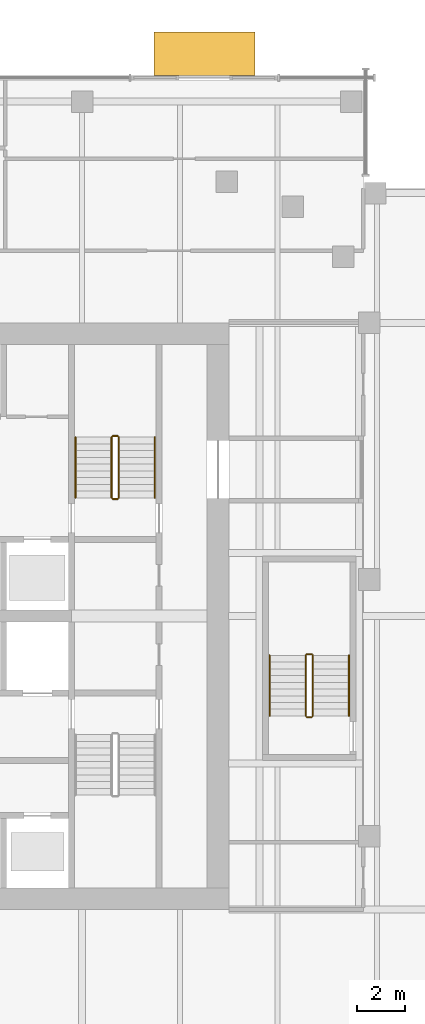
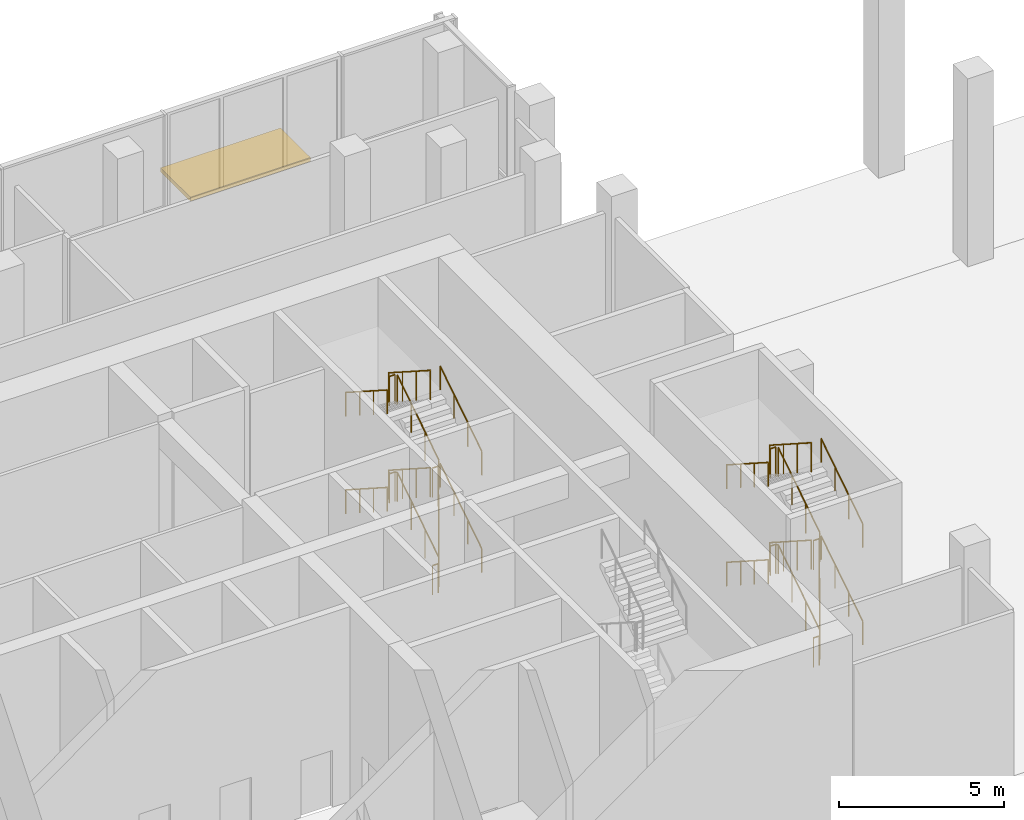
# One storey, part 31 of 36: 18 railings, 1 shading device.
"""IFC4 building model written with IfcOpenShell, lengths in metres."""

from ifc_helpers import new_model, si_unit, direction, frame, origin, origin_2d, place, context, subcontext, project, spatial, rectangle, circle, extrude, material, layer, layer_set, type_object, element, save


model = new_model("IFC4")

# Units and contexts
model_context = context("Model", 3, precision=1e-05, world=origin(), true_north=direction((0.0, 1.0)))
body_context = subcontext(model_context, "Body", "Model", "MODEL_VIEW")
ifc_project = project(units=[si_unit("LENGTHUNIT", "METRE"), si_unit("AREAUNIT", "SQUARE_METRE"), si_unit("VOLUMEUNIT", "CUBIC_METRE"), si_unit("PLANEANGLEUNIT", "RADIAN"), si_unit("MASSUNIT", "GRAM", prefix="KILO")], contexts=[model_context])

# Site, building, storey
site_placement = place(None, origin())
site = spatial("IfcSite", under=ifc_project, at=site_placement, CompositionType="ELEMENT")
building_placement = place(site_placement, origin())
building = spatial("IfcBuilding", under=site, at=building_placement, Name="Tessera Gate Towers", CompositionType="ELEMENT")
storey_placement = place(building_placement, origin())
storey = spatial("IfcBuildingStorey", under=building, at=storey_placement, Name="L00", CompositionType="ELEMENT", Elevation=0.0)

# Shading device
ifc_material_1 = material(Name="Powder-coated steel and laminated glass", Category="steel")
ifc_layer = layer(ifc_material_1, 0.14990234375)
ifc_layer_set = layer_set([ifc_layer], Name="AW1 entrance canopy")
shading_device_type = type_object("IfcShadingDeviceType", Name="AW1 entrance canopy", PredefinedType="AWNING", material=ifc_layer_set)
shading_device_placement = place(storey_placement, frame((53.88330078125, 60.0, 3.25), z_axis=(0.0, 0.0, 1.0), x_axis=(-1.0, 0.0, 0.0)))
element("IfcShadingDevice", 1, at=shading_device_placement, inside=storey, type_object=shading_device_type, Name="Entrance canopy PD AW1-0005", PredefinedType="AWNING", context=body_context, shape_type="SweptSolid", body=[
    extrude(rectangle(XDim=4.199951171875, YDim=1.800048828125, at=origin_2d()), origin(), (0.0, 0.0, 1.0), 0.14990234375),
])

# Railings
ifc_material_2 = material(Name="Steel 350W", Category="steel")
railing_type_1 = type_object("IfcRailingType", Name="STAIR GUARD 1100", PredefinedType="GUARDRAIL", material=ifc_material_2)
railing_1_placement = place(storey_placement, frame((50.074951171875, 41.47509765625, 3.60009765625)))
element("IfcRailing", 2, at=railing_1_placement, inside=storey, type_object=railing_type_1, Name="L00 ST2 stair guard 1", PredefinedType="GUARDRAIL", context=body_context, shape_type="SweptSolid", body=[
    extrude(circle(Radius=0.02392578125, at=origin_2d()), frame((0.0, 0.0, 1.076171875), z_axis=(1.0, 0.0, 0.0), x_axis=(0.0, 1.0, 0.0)), (0.0, 0.0, 1.0), 0.199951171875),
    extrude(circle(Radius=0.02392578125, at=origin_2d()), frame((0.199951171875, 0.0, 1.076171875), z_axis=(0.014630332594, 0.014558965118, -0.999786972261), x_axis=(-0.705375805398, 0.708833529934, 0.0)), (0.0, 0.0, 1.0), 3.4208984375),
    extrude(circle(Radius=0.02392578125, at=origin_2d()), frame((0.25, 0.0498046875, -2.34423828125), z_axis=(0.0, 0.841162588446, 0.540782303519), x_axis=(-1.0, 0.0, 0.0)), (0.0, 0.0, 1.0), 2.995849609375),
    extrude(circle(Radius=0.02392578125, at=origin_2d()), frame((0.25, 2.56982421875, -0.72412109375), z_axis=(-0.707106781187, 0.707106781187, 0.0), x_axis=(-0.707106781187, -0.707106781187, 0.0)), (0.0, 0.0, 1.0), 0.07080078125),
    extrude(circle(Radius=0.02392578125, at=origin_2d()), frame((0.199951171875, 2.619873046875, -0.72412109375), z_axis=(-1.0, 0.0, 0.0), x_axis=(0.0, -1.0, 0.0)), (0.0, 0.0, 1.0), 0.199951171875),
    extrude(circle(Radius=0.02392578125, at=origin_2d()), frame((0.0, 2.619873046875, -0.72412109375), z_axis=(-0.258847668887, -0.258847668887, 0.930588936439), x_axis=(0.707106781187, -0.707106781187, 0.0)), (0.0, 0.0, 1.0), 0.193359375),
    extrude(circle(Radius=0.02392578125, at=origin_2d()), frame((-0.050048828125, 2.56982421875, -0.5439453125), z_axis=(0.0, -0.841162588446, 0.540782303519), x_axis=(1.0, 0.0, 0.0)), (0.0, 0.0, 1.0), 2.995849609375),
    extrude(circle(Radius=0.02099609375, at=origin_2d()), origin(), (0.0, 0.0, 1.0), 1.052001953125),
    extrude(circle(Radius=0.02099609375, at=origin_2d()), frame((0.199951171875, 0.0, 0.0)), (0.0, 0.0, 1.0), 1.052001953125),
    extrude(circle(Radius=0.02099609375, at=origin_2d()), frame((0.216552734375, 0.0166015625, -1.14013671875)), (0.0, 0.0, 1.0), 1.052001953125),
    extrude(circle(Radius=0.02099609375, at=origin_2d()), frame((0.2333984375, 0.033203125, -2.280029296875)), (0.0, 0.0, 1.0), 1.052001953125),
    extrude(circle(Radius=0.02099609375, at=origin_2d()), frame((0.25, 0.0498046875, -3.420166015625)), (0.0, 0.0, 1.0), 1.052001953125),
    extrude(circle(Radius=0.02099609375, at=origin_2d()), frame((0.25, 0.889892578125, -2.880126953125)), (0.0, 0.0, 1.0), 1.052001953125),
    extrude(circle(Radius=0.02099609375, at=origin_2d()), frame((0.25, 1.729736328125, -2.340087890625)), (0.0, 0.0, 1.0), 1.052001953125),
    extrude(circle(Radius=0.02099609375, at=origin_2d()), frame((0.25, 2.56982421875, -1.800048828125)), (0.0, 0.0, 1.0), 1.052001953125),
    extrude(circle(Radius=0.02099609375, at=origin_2d()), frame((0.199951171875, 2.619873046875, -1.800048828125)), (0.0, 0.0, 1.0), 1.052001953125),
    extrude(circle(Radius=0.02099609375, at=origin_2d()), frame((0.0, 2.619873046875, -1.800048828125)), (0.0, 0.0, 1.0), 1.052001953125),
    extrude(circle(Radius=0.02099609375, at=origin_2d()), frame((-0.050048828125, 2.56982421875, -1.6201171875)), (0.0, 0.0, 1.0), 1.052001953125),
    extrude(circle(Radius=0.02099609375, at=origin_2d()), frame((-0.050048828125, 1.729736328125, -1.080078125)), (0.0, 0.0, 1.0), 1.052001953125),
    extrude(circle(Radius=0.02099609375, at=origin_2d()), frame((-0.050048828125, 0.889892578125, -0.5400390625)), (0.0, 0.0, 1.0), 1.052001953125),
    extrude(circle(Radius=0.02099609375, at=origin_2d()), frame((-0.050048828125, 0.0498046875, 0.0)), (0.0, 0.0, 1.0), 1.052001953125),
])
railing_2_placement = place(storey_placement, frame((50.324951171875, 41.52490234375, 3.780029296875)))
element("IfcRailing", 3, at=railing_2_placement, inside=storey, type_object=railing_type_1, Name="L00 ST2 stair guard 5", PredefinedType="GUARDRAIL", context=body_context, shape_type="SweptSolid", body=[
    extrude(circle(Radius=0.02392578125, at=origin_2d()), frame((0.0, 0.0, 1.076171875), z_axis=(0.0, 0.841199657755, 0.540724639528), x_axis=(-1.0, 0.0, 0.0)), (0.0, 0.0, 1.0), 2.995849609375),
    extrude(circle(Radius=0.02099609375, at=origin_2d()), origin(), (0.0, 0.0, 1.0), 1.052001953125),
    extrude(circle(Radius=0.02099609375, at=origin_2d()), frame((0.0, 0.840087890625, 0.5400390625)), (0.0, 0.0, 1.0), 1.052001953125),
    extrude(circle(Radius=0.02099609375, at=origin_2d()), frame((0.0, 1.679931640625, 1.079833984375)), (0.0, 0.0, 1.0), 1.052001953125),
    extrude(circle(Radius=0.02099609375, at=origin_2d()), frame((0.0, 2.52001953125, 1.619873046875)), (0.0, 0.0, 1.0), 1.052001953125),
])
railing_3_placement = place(storey_placement, frame((50.27490234375, 44.094970703125, 5.39990234375)))
element("IfcRailing", 4, at=railing_3_placement, inside=storey, type_object=railing_type_1, Name="L00 ST2 stair guard 6", PredefinedType="GUARDRAIL", context=body_context, shape_type="SweptSolid", body=[
    extrude(circle(Radius=0.02392578125, at=origin_2d()), frame((0.0, 0.0, 1.076171875), z_axis=(-1.0, 0.0, 0.0), x_axis=(0.0, -1.0, 0.0)), (0.0, 0.0, 1.0), 0.199951171875),
    extrude(circle(Radius=0.02099609375, at=origin_2d()), origin(), (0.0, 0.0, 1.0), 1.052001953125),
    extrude(circle(Radius=0.02099609375, at=origin_2d()), frame((-0.199951171875, 0.0, 0.0)), (0.0, 0.0, 1.0), 1.052001953125),
])
railing_4_placement = place(storey_placement, frame((50.02490234375, 44.044921875, 5.580078125)))
element("IfcRailing", 5, at=railing_4_placement, inside=storey, type_object=railing_type_1, Name="L00 ST2 stair guard 7", PredefinedType="GUARDRAIL", context=body_context, shape_type="SweptSolid", body=[
    extrude(circle(Radius=0.02392578125, at=origin_2d()), frame((0.0, 0.0, 1.076171875), z_axis=(0.0, -0.841199657755, 0.540724639528), x_axis=(1.0, 0.0, 0.0)), (0.0, 0.0, 1.0), 2.995849609375),
    extrude(circle(Radius=0.02099609375, at=origin_2d()), origin(), (0.0, 0.0, 1.0), 1.052001953125),
    extrude(circle(Radius=0.02099609375, at=origin_2d()), frame((0.0, -0.840087890625, 0.5400390625)), (0.0, 0.0, 1.0), 1.052001953125),
    extrude(circle(Radius=0.02099609375, at=origin_2d()), frame((0.0, -1.679931640625, 1.079833984375)), (0.0, 0.0, 1.0), 1.052001953125),
    extrude(circle(Radius=0.02099609375, at=origin_2d()), frame((0.0, -2.52001953125, 1.619873046875)), (0.0, 0.0, 1.0), 1.052001953125),
])
railing_5_placement = place(storey_placement, frame((50.27490234375, 41.47509765625, 0.0)))
element("IfcRailing", 6, at=railing_5_placement, inside=storey, type_object=railing_type_1, Name="L00 ST2 stair guard 8", PredefinedType="GUARDRAIL", context=body_context, shape_type="SweptSolid", body=[
    extrude(circle(Radius=0.02392578125, at=origin_2d()), frame((0.0, 0.0, 1.076171875), z_axis=(-1.0, 0.0, 0.0), x_axis=(0.0, -1.0, 0.0)), (0.0, 0.0, 1.0), 0.199951171875),
    extrude(circle(Radius=0.02099609375, at=origin_2d()), origin(), (0.0, 0.0, 1.0), 1.052001953125),
    extrude(circle(Radius=0.02099609375, at=origin_2d()), frame((-0.199951171875, 0.0, 0.0)), (0.0, 0.0, 1.0), 1.052001953125),
])
railing_6_placement = place(storey_placement, frame((58.14990234375, 32.39990234375, 3.60009765625)))
element("IfcRailing", 7, at=railing_6_placement, inside=storey, type_object=railing_type_1, Name="L00 ST5 stair guard 1", PredefinedType="GUARDRAIL", context=body_context, shape_type="SweptSolid", body=[
    extrude(circle(Radius=0.02392578125, at=origin_2d()), frame((0.0, 0.0, 1.076171875), z_axis=(1.0, 0.0, 0.0), x_axis=(0.0, 1.0, 0.0)), (0.0, 0.0, 1.0), 0.2001953125),
    extrude(circle(Radius=0.02392578125, at=origin_2d()), frame((0.2001953125, 0.0, 1.076171875), z_axis=(0.014558965118, 0.014630332594, -0.999786972261), x_axis=(-0.708833529934, 0.705375805398, 0.0)), (0.0, 0.0, 1.0), 3.4208984375),
    extrude(circle(Radius=0.02392578125, at=origin_2d()), frame((0.25, 0.050048828125, -2.34423828125), z_axis=(0.0, 0.841162588446, 0.540782303519), x_axis=(-1.0, 0.0, 0.0)), (0.0, 0.0, 1.0), 2.995849609375),
    extrude(circle(Radius=0.02392578125, at=origin_2d()), frame((0.25, 2.570068359375, -0.72412109375), z_axis=(-0.705375805398, 0.708833529934, 0.0), x_axis=(-0.708833529934, -0.705375805398, 0.0)), (0.0, 0.0, 1.0), 0.070556640625),
    extrude(circle(Radius=0.02392578125, at=origin_2d()), frame((0.2001953125, 2.6201171875, -0.72412109375), z_axis=(-1.0, 0.0, 0.0), x_axis=(0.0, -1.0, 0.0)), (0.0, 0.0, 1.0), 0.2001953125),
    extrude(circle(Radius=0.02392578125, at=origin_2d()), frame((0.0, 2.6201171875, -0.72412109375), z_axis=(-0.257669022063, -0.258932105505, 0.930892496375), x_axis=(0.708833529934, -0.705375805398, 0.0)), (0.0, 0.0, 1.0), 0.193359375),
    extrude(circle(Radius=0.02392578125, at=origin_2d()), frame((-0.0498046875, 2.570068359375, -0.5439453125), z_axis=(0.0, -0.841162588446, 0.540782303519), x_axis=(1.0, 0.0, 0.0)), (0.0, 0.0, 1.0), 2.995849609375),
    extrude(circle(Radius=0.02099609375, at=origin_2d()), origin(), (0.0, 0.0, 1.0), 1.052001953125),
    extrude(circle(Radius=0.02099609375, at=origin_2d()), frame((0.2001953125, 0.0, 0.0)), (0.0, 0.0, 1.0), 1.052001953125),
    extrude(circle(Radius=0.02099609375, at=origin_2d()), frame((0.216796875, 0.0166015625, -1.14013671875)), (0.0, 0.0, 1.0), 1.052001953125),
    extrude(circle(Radius=0.02099609375, at=origin_2d()), frame((0.2333984375, 0.033447265625, -2.280029296875)), (0.0, 0.0, 1.0), 1.052001953125),
    extrude(circle(Radius=0.02099609375, at=origin_2d()), frame((0.25, 0.050048828125, -3.420166015625)), (0.0, 0.0, 1.0), 1.052001953125),
    extrude(circle(Radius=0.02099609375, at=origin_2d()), frame((0.25, 0.89013671875, -2.880126953125)), (0.0, 0.0, 1.0), 1.052001953125),
    extrude(circle(Radius=0.02099609375, at=origin_2d()), frame((0.25, 1.72998046875, -2.340087890625)), (0.0, 0.0, 1.0), 1.052001953125),
    extrude(circle(Radius=0.02099609375, at=origin_2d()), frame((0.25, 2.570068359375, -1.800048828125)), (0.0, 0.0, 1.0), 1.052001953125),
    extrude(circle(Radius=0.02099609375, at=origin_2d()), frame((0.2001953125, 2.6201171875, -1.800048828125)), (0.0, 0.0, 1.0), 1.052001953125),
    extrude(circle(Radius=0.02099609375, at=origin_2d()), frame((0.0, 2.6201171875, -1.800048828125)), (0.0, 0.0, 1.0), 1.052001953125),
    extrude(circle(Radius=0.02099609375, at=origin_2d()), frame((-0.0498046875, 2.570068359375, -1.6201171875)), (0.0, 0.0, 1.0), 1.052001953125),
    extrude(circle(Radius=0.02099609375, at=origin_2d()), frame((-0.0498046875, 1.72998046875, -1.080078125)), (0.0, 0.0, 1.0), 1.052001953125),
    extrude(circle(Radius=0.02099609375, at=origin_2d()), frame((-0.0498046875, 0.89013671875, -0.5400390625)), (0.0, 0.0, 1.0), 1.052001953125),
    extrude(circle(Radius=0.02099609375, at=origin_2d()), frame((-0.0498046875, 0.050048828125, 0.0)), (0.0, 0.0, 1.0), 1.052001953125),
])
railing_7_placement = place(storey_placement, frame((58.39990234375, 32.449951171875, 3.780029296875)))
element("IfcRailing", 8, at=railing_7_placement, inside=storey, type_object=railing_type_1, Name="L00 ST5 stair guard 5", PredefinedType="GUARDRAIL", context=body_context, shape_type="SweptSolid", body=[
    extrude(circle(Radius=0.02392578125, at=origin_2d()), frame((0.0, 0.0, 1.076171875), z_axis=(0.0, 0.841199657755, 0.540724639528), x_axis=(-1.0, 0.0, 0.0)), (0.0, 0.0, 1.0), 2.995849609375),
    extrude(circle(Radius=0.02099609375, at=origin_2d()), origin(), (0.0, 0.0, 1.0), 1.052001953125),
    extrude(circle(Radius=0.02099609375, at=origin_2d()), frame((0.0, 0.840087890625, 0.5400390625)), (0.0, 0.0, 1.0), 1.052001953125),
    extrude(circle(Radius=0.02099609375, at=origin_2d()), frame((0.0, 1.679931640625, 1.079833984375)), (0.0, 0.0, 1.0), 1.052001953125),
    extrude(circle(Radius=0.02099609375, at=origin_2d()), frame((0.0, 2.52001953125, 1.619873046875)), (0.0, 0.0, 1.0), 1.052001953125),
])
railing_8_placement = place(storey_placement, frame((58.35009765625, 35.02001953125, 5.39990234375)))
element("IfcRailing", 9, at=railing_8_placement, inside=storey, type_object=railing_type_1, Name="L00 ST5 stair guard 6", PredefinedType="GUARDRAIL", context=body_context, shape_type="SweptSolid", body=[
    extrude(circle(Radius=0.02392578125, at=origin_2d()), frame((0.0, 0.0, 1.076171875), z_axis=(-1.0, 0.0, 0.0), x_axis=(0.0, -1.0, 0.0)), (0.0, 0.0, 1.0), 0.2001953125),
    extrude(circle(Radius=0.02099609375, at=origin_2d()), origin(), (0.0, 0.0, 1.0), 1.052001953125),
    extrude(circle(Radius=0.02099609375, at=origin_2d()), frame((-0.2001953125, 0.0, 0.0)), (0.0, 0.0, 1.0), 1.052001953125),
])
railing_9_placement = place(storey_placement, frame((58.10009765625, 34.969970703125, 5.580078125)))
element("IfcRailing", 10, at=railing_9_placement, inside=storey, type_object=railing_type_1, Name="L00 ST5 stair guard 7", PredefinedType="GUARDRAIL", context=body_context, shape_type="SweptSolid", body=[
    extrude(circle(Radius=0.02392578125, at=origin_2d()), frame((0.0, 0.0, 1.076171875), z_axis=(0.0, -0.841199657755, 0.540724639528), x_axis=(1.0, 0.0, 0.0)), (0.0, 0.0, 1.0), 2.995849609375),
    extrude(circle(Radius=0.02099609375, at=origin_2d()), origin(), (0.0, 0.0, 1.0), 1.052001953125),
    extrude(circle(Radius=0.02099609375, at=origin_2d()), frame((0.0, -0.840087890625, 0.5400390625)), (0.0, 0.0, 1.0), 1.052001953125),
    extrude(circle(Radius=0.02099609375, at=origin_2d()), frame((0.0, -1.679931640625, 1.079833984375)), (0.0, 0.0, 1.0), 1.052001953125),
    extrude(circle(Radius=0.02099609375, at=origin_2d()), frame((0.0, -2.52001953125, 1.619873046875)), (0.0, 0.0, 1.0), 1.052001953125),
])
railing_10_placement = place(storey_placement, frame((58.35009765625, 32.39990234375, 0.0)))
element("IfcRailing", 11, at=railing_10_placement, inside=storey, type_object=railing_type_1, Name="L00 ST5 stair guard 8", PredefinedType="GUARDRAIL", context=body_context, shape_type="SweptSolid", body=[
    extrude(circle(Radius=0.02392578125, at=origin_2d()), frame((0.0, 0.0, 1.076171875), z_axis=(-1.0, 0.0, 0.0), x_axis=(0.0, -1.0, 0.0)), (0.0, 0.0, 1.0), 0.2001953125),
    extrude(circle(Radius=0.02099609375, at=origin_2d()), origin(), (0.0, 0.0, 1.0), 1.052001953125),
    extrude(circle(Radius=0.02099609375, at=origin_2d()), frame((-0.2001953125, 0.0, 0.0)), (0.0, 0.0, 1.0), 1.052001953125),
])
ifc_material_3 = material(Name="Steel 350W", Category="steel")
railing_type_2 = type_object("IfcRailingType", Name="STAIR HANDRAIL 900", PredefinedType="HANDRAIL", material=ifc_material_3)
railing_11_placement = place(storey_placement, frame((51.824951171875, 41.52490234375, 0.179931640625)))
element("IfcRailing", 12, at=railing_11_placement, inside=storey, type_object=railing_type_2, Name="L00 ST2 stair handrail 1", PredefinedType="HANDRAIL", context=body_context, shape_type="SweptSolid", body=[
    extrude(circle(Radius=0.02392578125, at=origin_2d()), frame((0.0, 0.0, 0.8759765625), z_axis=(0.0, 0.841162588446, 0.540782303519), x_axis=(-1.0, 0.0, 0.0)), (0.0, 0.0, 1.0), 2.995849609375),
    extrude(circle(Radius=0.02099609375, at=origin_2d()), origin(), (0.0, 0.0, 1.0), 0.851806640625),
    extrude(circle(Radius=0.02099609375, at=origin_2d()), frame((0.0, 0.840087890625, 0.5400390625)), (0.0, 0.0, 1.0), 0.851806640625),
    extrude(circle(Radius=0.02099609375, at=origin_2d()), frame((0.0, 1.679931640625, 1.080078125)), (0.0, 0.0, 1.0), 0.851806640625),
    extrude(circle(Radius=0.02099609375, at=origin_2d()), frame((0.0, 2.52001953125, 1.6201171875)), (0.0, 0.0, 1.0), 0.851806640625),
])
railing_12_placement = place(storey_placement, frame((48.52490234375, 44.044921875, 1.97998046875)))
element("IfcRailing", 13, at=railing_12_placement, inside=storey, type_object=railing_type_2, Name="L00 ST2 stair handrail 2", PredefinedType="HANDRAIL", context=body_context, shape_type="SweptSolid", body=[
    extrude(circle(Radius=0.02392578125, at=origin_2d()), frame((0.0, 0.0, 0.8759765625), z_axis=(0.0, -0.841162588446, 0.540782303519), x_axis=(1.0, 0.0, 0.0)), (0.0, 0.0, 1.0), 2.995849609375),
    extrude(circle(Radius=0.02099609375, at=origin_2d()), origin(), (0.0, 0.0, 1.0), 0.851806640625),
    extrude(circle(Radius=0.02099609375, at=origin_2d()), frame((0.0, -0.840087890625, 0.5400390625)), (0.0, 0.0, 1.0), 0.851806640625),
    extrude(circle(Radius=0.02099609375, at=origin_2d()), frame((0.0, -1.679931640625, 1.080078125)), (0.0, 0.0, 1.0), 0.851806640625),
    extrude(circle(Radius=0.02099609375, at=origin_2d()), frame((0.0, -2.52001953125, 1.6201171875)), (0.0, 0.0, 1.0), 0.851806640625),
])
railing_13_placement = place(storey_placement, frame((51.824951171875, 41.52490234375, 3.780029296875)))
element("IfcRailing", 14, at=railing_13_placement, inside=storey, type_object=railing_type_2, Name="L00 ST2 stair handrail 3", PredefinedType="HANDRAIL", context=body_context, shape_type="SweptSolid", body=[
    extrude(circle(Radius=0.02392578125, at=origin_2d()), frame((0.0, 0.0, 0.8759765625), z_axis=(0.0, 0.841199657755, 0.540724639528), x_axis=(-1.0, 0.0, 0.0)), (0.0, 0.0, 1.0), 2.995849609375),
    extrude(circle(Radius=0.02099609375, at=origin_2d()), origin(), (0.0, 0.0, 1.0), 0.851806640625),
    extrude(circle(Radius=0.02099609375, at=origin_2d()), frame((0.0, 0.840087890625, 0.5400390625)), (0.0, 0.0, 1.0), 0.851806640625),
    extrude(circle(Radius=0.02099609375, at=origin_2d()), frame((0.0, 1.679931640625, 1.079833984375)), (0.0, 0.0, 1.0), 0.851806640625),
    extrude(circle(Radius=0.02099609375, at=origin_2d()), frame((0.0, 2.52001953125, 1.619873046875)), (0.0, 0.0, 1.0), 0.851806640625),
])
railing_14_placement = place(storey_placement, frame((48.52490234375, 44.044921875, 5.580078125)))
element("IfcRailing", 15, at=railing_14_placement, inside=storey, type_object=railing_type_2, Name="L00 ST2 stair handrail 4", PredefinedType="HANDRAIL", context=body_context, shape_type="SweptSolid", body=[
    extrude(circle(Radius=0.02392578125, at=origin_2d()), frame((0.0, 0.0, 0.8759765625), z_axis=(0.0, -0.841199657755, 0.540724639528), x_axis=(1.0, 0.0, 0.0)), (0.0, 0.0, 1.0), 2.995849609375),
    extrude(circle(Radius=0.02099609375, at=origin_2d()), origin(), (0.0, 0.0, 1.0), 0.851806640625),
    extrude(circle(Radius=0.02099609375, at=origin_2d()), frame((0.0, -0.840087890625, 0.5400390625)), (0.0, 0.0, 1.0), 0.851806640625),
    extrude(circle(Radius=0.02099609375, at=origin_2d()), frame((0.0, -1.679931640625, 1.079833984375)), (0.0, 0.0, 1.0), 0.851806640625),
    extrude(circle(Radius=0.02099609375, at=origin_2d()), frame((0.0, -2.52001953125, 1.619873046875)), (0.0, 0.0, 1.0), 0.851806640625),
])
railing_15_placement = place(storey_placement, frame((59.89990234375, 32.449951171875, 0.179931640625)))
element("IfcRailing", 16, at=railing_15_placement, inside=storey, type_object=railing_type_2, Name="L00 ST5 stair handrail 1", PredefinedType="HANDRAIL", context=body_context, shape_type="SweptSolid", body=[
    extrude(circle(Radius=0.02392578125, at=origin_2d()), frame((0.0, 0.0, 0.8759765625), z_axis=(0.0, 0.841162588446, 0.540782303519), x_axis=(-1.0, 0.0, 0.0)), (0.0, 0.0, 1.0), 2.995849609375),
    extrude(circle(Radius=0.02099609375, at=origin_2d()), origin(), (0.0, 0.0, 1.0), 0.851806640625),
    extrude(circle(Radius=0.02099609375, at=origin_2d()), frame((0.0, 0.840087890625, 0.5400390625)), (0.0, 0.0, 1.0), 0.851806640625),
    extrude(circle(Radius=0.02099609375, at=origin_2d()), frame((0.0, 1.679931640625, 1.080078125)), (0.0, 0.0, 1.0), 0.851806640625),
    extrude(circle(Radius=0.02099609375, at=origin_2d()), frame((0.0, 2.52001953125, 1.6201171875)), (0.0, 0.0, 1.0), 0.851806640625),
])
railing_16_placement = place(storey_placement, frame((56.60009765625, 34.969970703125, 1.97998046875)))
element("IfcRailing", 17, at=railing_16_placement, inside=storey, type_object=railing_type_2, Name="L00 ST5 stair handrail 2", PredefinedType="HANDRAIL", context=body_context, shape_type="SweptSolid", body=[
    extrude(circle(Radius=0.02392578125, at=origin_2d()), frame((0.0, 0.0, 0.8759765625), z_axis=(0.0, -0.841162588446, 0.540782303519), x_axis=(1.0, 0.0, 0.0)), (0.0, 0.0, 1.0), 2.995849609375),
    extrude(circle(Radius=0.02099609375, at=origin_2d()), origin(), (0.0, 0.0, 1.0), 0.851806640625),
    extrude(circle(Radius=0.02099609375, at=origin_2d()), frame((0.0, -0.840087890625, 0.5400390625)), (0.0, 0.0, 1.0), 0.851806640625),
    extrude(circle(Radius=0.02099609375, at=origin_2d()), frame((0.0, -1.679931640625, 1.080078125)), (0.0, 0.0, 1.0), 0.851806640625),
    extrude(circle(Radius=0.02099609375, at=origin_2d()), frame((0.0, -2.52001953125, 1.6201171875)), (0.0, 0.0, 1.0), 0.851806640625),
])
railing_17_placement = place(storey_placement, frame((59.89990234375, 32.449951171875, 3.780029296875)))
element("IfcRailing", 18, at=railing_17_placement, inside=storey, type_object=railing_type_2, Name="L00 ST5 stair handrail 3", PredefinedType="HANDRAIL", context=body_context, shape_type="SweptSolid", body=[
    extrude(circle(Radius=0.02392578125, at=origin_2d()), frame((0.0, 0.0, 0.8759765625), z_axis=(0.0, 0.841199657755, 0.540724639528), x_axis=(-1.0, 0.0, 0.0)), (0.0, 0.0, 1.0), 2.995849609375),
    extrude(circle(Radius=0.02099609375, at=origin_2d()), origin(), (0.0, 0.0, 1.0), 0.851806640625),
    extrude(circle(Radius=0.02099609375, at=origin_2d()), frame((0.0, 0.840087890625, 0.5400390625)), (0.0, 0.0, 1.0), 0.851806640625),
    extrude(circle(Radius=0.02099609375, at=origin_2d()), frame((0.0, 1.679931640625, 1.079833984375)), (0.0, 0.0, 1.0), 0.851806640625),
    extrude(circle(Radius=0.02099609375, at=origin_2d()), frame((0.0, 2.52001953125, 1.619873046875)), (0.0, 0.0, 1.0), 0.851806640625),
])
railing_18_placement = place(storey_placement, frame((56.60009765625, 34.969970703125, 5.580078125)))
element("IfcRailing", 19, at=railing_18_placement, inside=storey, type_object=railing_type_2, Name="L00 ST5 stair handrail 4", PredefinedType="HANDRAIL", context=body_context, shape_type="SweptSolid", body=[
    extrude(circle(Radius=0.02392578125, at=origin_2d()), frame((0.0, 0.0, 0.8759765625), z_axis=(0.0, -0.841199657755, 0.540724639528), x_axis=(1.0, 0.0, 0.0)), (0.0, 0.0, 1.0), 2.995849609375),
    extrude(circle(Radius=0.02099609375, at=origin_2d()), origin(), (0.0, 0.0, 1.0), 0.851806640625),
    extrude(circle(Radius=0.02099609375, at=origin_2d()), frame((0.0, -0.840087890625, 0.5400390625)), (0.0, 0.0, 1.0), 0.851806640625),
    extrude(circle(Radius=0.02099609375, at=origin_2d()), frame((0.0, -1.679931640625, 1.079833984375)), (0.0, 0.0, 1.0), 0.851806640625),
    extrude(circle(Radius=0.02099609375, at=origin_2d()), frame((0.0, -2.52001953125, 1.619873046875)), (0.0, 0.0, 1.0), 0.851806640625),
])

save(model, "model.ifc")
